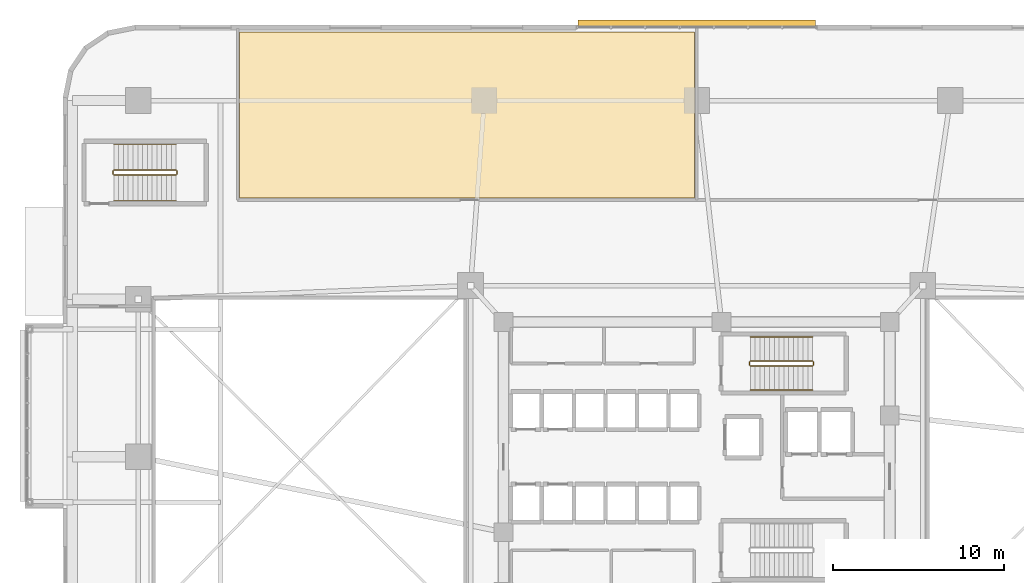
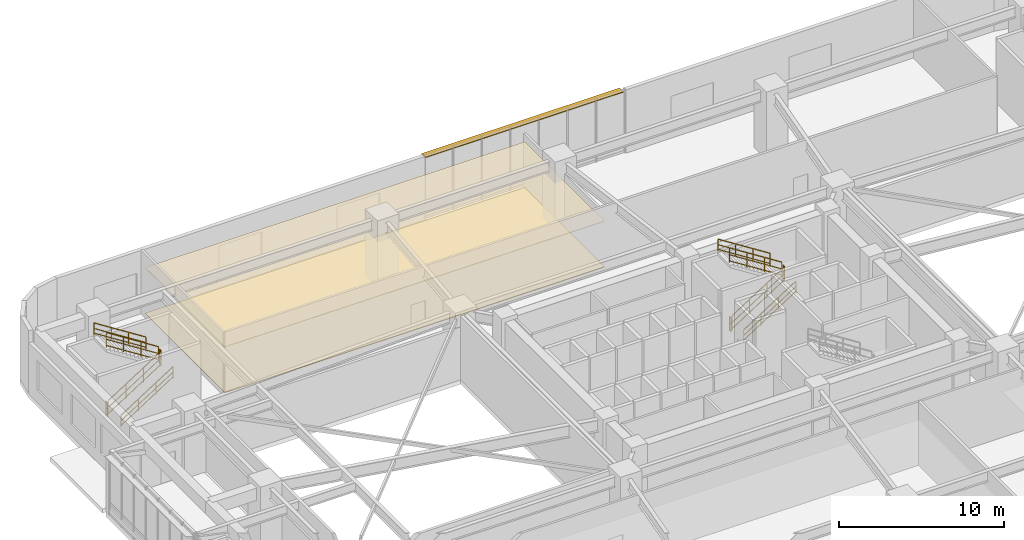
# One storey, part 25 of 26: 12 railings, 2 coverings, 1 shading device.
"""IFC4 building model written with IfcOpenShell, lengths in metres."""

from ifc_helpers import new_model, si_unit, direction, frame, origin, origin_2d, place, context, subcontext, project, spatial, polyline, rectangle, outline, extrude, material, layer, layer_set, type_object, element, save


model = new_model("IFC4")

# Units and contexts
model_context = context("Model", 3, precision=1e-05, world=origin(), true_north=direction((0.0, 1.0)))
body_context = subcontext(model_context, "Body", "Model", "MODEL_VIEW")
ifc_project = project(units=[si_unit("LENGTHUNIT", "METRE"), si_unit("AREAUNIT", "SQUARE_METRE"), si_unit("VOLUMEUNIT", "CUBIC_METRE"), si_unit("PLANEANGLEUNIT", "RADIAN"), si_unit("MASSUNIT", "GRAM", prefix="KILO")], contexts=[model_context])

# Site, building, storey
site_placement = place(None, origin())
site = spatial("IfcSite", under=ifc_project, at=site_placement, CompositionType="ELEMENT")
building_placement = place(site_placement, origin())
building = spatial("IfcBuilding", under=site, at=building_placement, Name="Zulverin Broadcast Headquarters", CompositionType="ELEMENT")
storey_placement = place(building_placement, frame((0.0, 0.0, 15.0)))
storey = spatial("IfcBuildingStorey", under=building, at=storey_placement, Name="L03", CompositionType="ELEMENT", Elevation=15.0)

# Coverings
ifc_material_1 = material(Name="Perforated pale-metal acoustic baffle ceiling", Category="aluminium")
ifc_layer_1 = layer(ifc_material_1, 0.0400390625, Name="Perforated pale-metal acoustic baffle ceiling", Category="aluminium")
ifc_layer_set_1 = layer_set([ifc_layer_1], Name="Perforated pale-metal acoustic baffle ceiling")
covering_type_1 = type_object("IfcCoveringType", Name="COV-CEIL-ACOU", PredefinedType="CEILING", material=ifc_layer_set_1)
covering_1_placement = place(storey_placement, frame((0.0, 0.0, 3.389892578125)))
element("IfcCovering", 1, at=covering_1_placement, inside=storey, type_object=covering_type_1, Name="L03 Acoustic Baffle Ceiling 03", PredefinedType="CEILING", context=body_context, shape_type="SweptSolid", body=[
    extrude(outline(polyline([(36.8798828125, 50.0), (10.320068359375, 50.0), (10.320068359375, 40.320068359375), (36.8798828125, 40.320068359375), (36.8798828125, 50.0)])), origin(), (0.0, 0.0, 1.0), 0.0400390625),
])
ifc_material_2 = material(Name="Anti-static broadcast raised access flooring", Category="stone")
ifc_layer_2 = layer(ifc_material_2, 0.050048828125, Name="Anti-static broadcast raised access flooring", Category="stone")
ifc_layer_set_2 = layer_set([ifc_layer_2], Name="Anti-static broadcast raised access flooring")
covering_type_2 = type_object("IfcCoveringType", Name="COV-FLR-RAISED", PredefinedType="FLOORING", material=ifc_layer_set_2)
covering_2_placement = place(storey_placement, origin())
element("IfcCovering", 2, at=covering_2_placement, inside=storey, type_object=covering_type_2, Name="L03 Broadcast Raised Access Flooring 01", PredefinedType="FLOORING", context=body_context, shape_type="SweptSolid", body=[
    extrude(outline(polyline([(36.8798828125, 50.0), (10.320068359375, 50.0), (10.320068359375, 40.320068359375), (36.8798828125, 40.320068359375), (36.8798828125, 50.0)])), origin(), (0.0, 0.0, 1.0), 0.050048828125),
])

# Railings
ifc_material_3 = material(Name="Painted galvanized steel tubular guardrail S355JR", Category="steel")
railing_type_1 = type_object("IfcRailingType", Name="RL-ST-GUARD", PredefinedType="GUARDRAIL", material=ifc_material_3)
railing_1_placement = place(storey_placement, frame((40.1298828125, 30.5, 0.178466796875)))
element("IfcRailing", 3, at=railing_1_placement, inside=storey, type_object=railing_type_1, Name="L03 ST-1 stair guard 1", PredefinedType="GUARDRAIL", context=body_context, shape_type="SweptSolid", body=[
    extrude(rectangle(XDim=0.048095703125, YDim=0.048095703125, at=origin_2d()), frame((0.0, 0.0, 1.076171875), z_axis=(0.843127859045, 0.0, 0.537713132908), x_axis=(0.0, 1.0, 0.0)), (0.0, 0.0, 1.0), 4.3173828125),
    extrude(rectangle(XDim=0.0419921875, YDim=0.0419921875, at=origin_2d()), frame((0.0, 0.0, 0.572021484375), z_axis=(0.843127859045, 0.0, 0.537713132908), x_axis=(0.0, 1.0, 0.0)), (0.0, 0.0, 1.0), 4.3173828125),
    extrude(rectangle(XDim=0.0419921875, YDim=0.0419921875, at=origin_2d()), frame((0.0, 0.0, 0.1201171875), z_axis=(0.843127859045, 0.0, 0.537713132908), x_axis=(0.0, 1.0, 0.0)), (0.0, 0.0, 1.0), 4.3173828125),
    extrude(rectangle(XDim=0.0419921875, YDim=0.0419921875, at=origin_2d()), origin(), (0.0, 0.0, 1.0), 1.052001953125),
    extrude(rectangle(XDim=0.0419921875, YDim=0.0419921875, at=origin_2d()), frame((1.21337890625, 0.0, 0.77392578125)), (0.0, 0.0, 1.0), 1.052001953125),
    extrude(rectangle(XDim=0.0419921875, YDim=0.0419921875, at=origin_2d()), frame((2.4267578125, 0.0, 1.547607421875)), (0.0, 0.0, 1.0), 1.052001953125),
    extrude(rectangle(XDim=0.0419921875, YDim=0.0419921875, at=origin_2d()), frame((3.64013671875, 0.0, 2.321533203125)), (0.0, 0.0, 1.0), 1.052001953125),
])
railing_2_placement = place(storey_placement, frame((43.820068359375, 30.550048828125, 2.5)))
element("IfcRailing", 4, at=railing_2_placement, inside=storey, type_object=railing_type_1, Name="L03 ST-1 stair guard 2", PredefinedType="GUARDRAIL", context=body_context, shape_type="SweptSolid", body=[
    extrude(rectangle(XDim=0.048095703125, YDim=0.048095703125, at=origin_2d()), frame((0.0, 0.0, 1.076171875), z_axis=(0.0, 1.0, 0.0), x_axis=(-1.0, 0.0, 0.0)), (0.0, 0.0, 1.0), 0.199951171875),
    extrude(rectangle(XDim=0.0419921875, YDim=0.0419921875, at=origin_2d()), frame((0.0, 0.0, 0.572021484375), z_axis=(0.0, 1.0, 0.0), x_axis=(-1.0, 0.0, 0.0)), (0.0, 0.0, 1.0), 0.199951171875),
    extrude(rectangle(XDim=0.0419921875, YDim=0.0419921875, at=origin_2d()), frame((0.0, 0.0, 0.1201171875), z_axis=(0.0, 1.0, 0.0), x_axis=(-1.0, 0.0, 0.0)), (0.0, 0.0, 1.0), 0.199951171875),
    extrude(rectangle(XDim=0.0419921875, YDim=0.0419921875, at=origin_2d()), origin(), (0.0, 0.0, 1.0), 1.052001953125),
    extrude(rectangle(XDim=0.0419921875, YDim=0.0419921875, at=origin_2d()), frame((0.0, 0.199951171875, 0.0)), (0.0, 0.0, 1.0), 1.052001953125),
])
railing_3_placement = place(storey_placement, frame((43.77001953125, 30.800048828125, 2.678466796875)))
element("IfcRailing", 5, at=railing_3_placement, inside=storey, type_object=railing_type_1, Name="L03 ST-1 stair guard 3", PredefinedType="GUARDRAIL", context=body_context, shape_type="SweptSolid", body=[
    extrude(rectangle(XDim=0.048095703125, YDim=0.048095703125, at=origin_2d()), frame((0.0, 0.0, 1.076171875), z_axis=(-0.843127859045, 0.0, 0.537713132908), x_axis=(0.0, -1.0, 0.0)), (0.0, 0.0, 1.0), 4.3173828125),
    extrude(rectangle(XDim=0.0419921875, YDim=0.0419921875, at=origin_2d()), frame((0.0, 0.0, 0.572021484375), z_axis=(-0.843127859045, 0.0, 0.537713132908), x_axis=(0.0, -1.0, 0.0)), (0.0, 0.0, 1.0), 4.3173828125),
    extrude(rectangle(XDim=0.0419921875, YDim=0.0419921875, at=origin_2d()), frame((0.0, 0.0, 0.1201171875), z_axis=(-0.843127859045, 0.0, 0.537713132908), x_axis=(0.0, -1.0, 0.0)), (0.0, 0.0, 1.0), 4.3173828125),
    extrude(rectangle(XDim=0.0419921875, YDim=0.0419921875, at=origin_2d()), origin(), (0.0, 0.0, 1.0), 1.052001953125),
    extrude(rectangle(XDim=0.0419921875, YDim=0.0419921875, at=origin_2d()), frame((-1.21337890625, 0.0, 0.77392578125)), (0.0, 0.0, 1.0), 1.052001953125),
    extrude(rectangle(XDim=0.0419921875, YDim=0.0419921875, at=origin_2d()), frame((-2.4267578125, 0.0, 1.547607421875)), (0.0, 0.0, 1.0), 1.052001953125),
    extrude(rectangle(XDim=0.0419921875, YDim=0.0419921875, at=origin_2d()), frame((-3.64013671875, 0.0, 2.321533203125)), (0.0, 0.0, 1.0), 1.052001953125),
])
railing_4_placement = place(storey_placement, frame((40.080078125, 30.550048828125, 0.0)))
element("IfcRailing", 6, at=railing_4_placement, inside=storey, type_object=railing_type_1, Name="L03 ST-1 stair guard 4", PredefinedType="GUARDRAIL", context=body_context, shape_type="SweptSolid", body=[
    extrude(rectangle(XDim=0.048095703125, YDim=0.048095703125, at=origin_2d()), frame((0.0, 0.0, 1.076171875), z_axis=(0.0, 1.0, 0.0), x_axis=(-1.0, 0.0, 0.0)), (0.0, 0.0, 1.0), 0.199951171875),
    extrude(rectangle(XDim=0.0419921875, YDim=0.0419921875, at=origin_2d()), frame((0.0, 0.0, 0.572021484375), z_axis=(0.0, 1.0, 0.0), x_axis=(-1.0, 0.0, 0.0)), (0.0, 0.0, 1.0), 0.199951171875),
    extrude(rectangle(XDim=0.0419921875, YDim=0.0419921875, at=origin_2d()), frame((0.0, 0.0, 0.1201171875), z_axis=(0.0, 1.0, 0.0), x_axis=(-1.0, 0.0, 0.0)), (0.0, 0.0, 1.0), 0.199951171875),
    extrude(rectangle(XDim=0.0419921875, YDim=0.0419921875, at=origin_2d()), origin(), (0.0, 0.0, 1.0), 1.052001953125),
    extrude(rectangle(XDim=0.0419921875, YDim=0.0419921875, at=origin_2d()), frame((0.0, 0.199951171875, 0.0)), (0.0, 0.0, 1.0), 1.052001953125),
])
railing_5_placement = place(storey_placement, frame((2.969970703125, 41.64990234375, 0.178466796875)))
element("IfcRailing", 7, at=railing_5_placement, inside=storey, type_object=railing_type_1, Name="L03 ST-3 stair guard 1", PredefinedType="GUARDRAIL", context=body_context, shape_type="SweptSolid", body=[
    extrude(rectangle(XDim=0.048095703125, YDim=0.048095703125, at=origin_2d()), frame((0.0, 0.0, 1.076171875), z_axis=(0.843127859045, 0.0, 0.537713132908), x_axis=(0.0, 1.0, 0.0)), (0.0, 0.0, 1.0), 4.3173828125),
    extrude(rectangle(XDim=0.0419921875, YDim=0.0419921875, at=origin_2d()), frame((0.0, 0.0, 0.572021484375), z_axis=(0.843127859045, 0.0, 0.537713132908), x_axis=(0.0, 1.0, 0.0)), (0.0, 0.0, 1.0), 4.3173828125),
    extrude(rectangle(XDim=0.0419921875, YDim=0.0419921875, at=origin_2d()), frame((0.0, 0.0, 0.1201171875), z_axis=(0.843127859045, 0.0, 0.537713132908), x_axis=(0.0, 1.0, 0.0)), (0.0, 0.0, 1.0), 4.3173828125),
    extrude(rectangle(XDim=0.0419921875, YDim=0.0419921875, at=origin_2d()), origin(), (0.0, 0.0, 1.0), 1.052001953125),
    extrude(rectangle(XDim=0.0419921875, YDim=0.0419921875, at=origin_2d()), frame((1.21337890625, 0.0, 0.77392578125)), (0.0, 0.0, 1.0), 1.052001953125),
    extrude(rectangle(XDim=0.0419921875, YDim=0.0419921875, at=origin_2d()), frame((2.4267578125, 0.0, 1.547607421875)), (0.0, 0.0, 1.0), 1.052001953125),
    extrude(rectangle(XDim=0.0419921875, YDim=0.0419921875, at=origin_2d()), frame((3.64013671875, 0.0, 2.321533203125)), (0.0, 0.0, 1.0), 1.052001953125),
])
railing_6_placement = place(storey_placement, frame((6.659912109375, 41.699951171875, 2.5)))
element("IfcRailing", 8, at=railing_6_placement, inside=storey, type_object=railing_type_1, Name="L03 ST-3 stair guard 2", PredefinedType="GUARDRAIL", context=body_context, shape_type="SweptSolid", body=[
    extrude(rectangle(XDim=0.048095703125, YDim=0.048095703125, at=origin_2d()), frame((0.0, 0.0, 1.076171875), z_axis=(0.0, 1.0, 0.0), x_axis=(-1.0, 0.0, 0.0)), (0.0, 0.0, 1.0), 0.199951171875),
    extrude(rectangle(XDim=0.0419921875, YDim=0.0419921875, at=origin_2d()), frame((0.0, 0.0, 0.572021484375), z_axis=(0.0, 1.0, 0.0), x_axis=(-1.0, 0.0, 0.0)), (0.0, 0.0, 1.0), 0.199951171875),
    extrude(rectangle(XDim=0.0419921875, YDim=0.0419921875, at=origin_2d()), frame((0.0, 0.0, 0.1201171875), z_axis=(0.0, 1.0, 0.0), x_axis=(-1.0, 0.0, 0.0)), (0.0, 0.0, 1.0), 0.199951171875),
    extrude(rectangle(XDim=0.0419921875, YDim=0.0419921875, at=origin_2d()), origin(), (0.0, 0.0, 1.0), 1.052001953125),
    extrude(rectangle(XDim=0.0419921875, YDim=0.0419921875, at=origin_2d()), frame((0.0, 0.199951171875, 0.0)), (0.0, 0.0, 1.0), 1.052001953125),
])
railing_7_placement = place(storey_placement, frame((6.610107421875, 41.949951171875, 2.678466796875)))
element("IfcRailing", 9, at=railing_7_placement, inside=storey, type_object=railing_type_1, Name="L03 ST-3 stair guard 3", PredefinedType="GUARDRAIL", context=body_context, shape_type="SweptSolid", body=[
    extrude(rectangle(XDim=0.048095703125, YDim=0.048095703125, at=origin_2d()), frame((0.0, 0.0, 1.076171875), z_axis=(-0.843127859045, 0.0, 0.537713132908), x_axis=(0.0, -1.0, 0.0)), (0.0, 0.0, 1.0), 4.3173828125),
    extrude(rectangle(XDim=0.0419921875, YDim=0.0419921875, at=origin_2d()), frame((0.0, 0.0, 0.572021484375), z_axis=(-0.843127859045, 0.0, 0.537713132908), x_axis=(0.0, -1.0, 0.0)), (0.0, 0.0, 1.0), 4.3173828125),
    extrude(rectangle(XDim=0.0419921875, YDim=0.0419921875, at=origin_2d()), frame((0.0, 0.0, 0.1201171875), z_axis=(-0.843127859045, 0.0, 0.537713132908), x_axis=(0.0, -1.0, 0.0)), (0.0, 0.0, 1.0), 4.3173828125),
    extrude(rectangle(XDim=0.0419921875, YDim=0.0419921875, at=origin_2d()), origin(), (0.0, 0.0, 1.0), 1.052001953125),
    extrude(rectangle(XDim=0.0419921875, YDim=0.0419921875, at=origin_2d()), frame((-1.21337890625, 0.0, 0.77392578125)), (0.0, 0.0, 1.0), 1.052001953125),
    extrude(rectangle(XDim=0.0419921875, YDim=0.0419921875, at=origin_2d()), frame((-2.4267578125, 0.0, 1.547607421875)), (0.0, 0.0, 1.0), 1.052001953125),
    extrude(rectangle(XDim=0.0419921875, YDim=0.0419921875, at=origin_2d()), frame((-3.64013671875, 0.0, 2.321533203125)), (0.0, 0.0, 1.0), 1.052001953125),
])
railing_8_placement = place(storey_placement, frame((2.919921875, 41.699951171875, 0.0)))
element("IfcRailing", 10, at=railing_8_placement, inside=storey, type_object=railing_type_1, Name="L03 ST-3 stair guard 4", PredefinedType="GUARDRAIL", context=body_context, shape_type="SweptSolid", body=[
    extrude(rectangle(XDim=0.048095703125, YDim=0.048095703125, at=origin_2d()), frame((0.0, 0.0, 1.076171875), z_axis=(0.0, 1.0, 0.0), x_axis=(-1.0, 0.0, 0.0)), (0.0, 0.0, 1.0), 0.199951171875),
    extrude(rectangle(XDim=0.0419921875, YDim=0.0419921875, at=origin_2d()), frame((0.0, 0.0, 0.572021484375), z_axis=(0.0, 1.0, 0.0), x_axis=(-1.0, 0.0, 0.0)), (0.0, 0.0, 1.0), 0.199951171875),
    extrude(rectangle(XDim=0.0419921875, YDim=0.0419921875, at=origin_2d()), frame((0.0, 0.0, 0.1201171875), z_axis=(0.0, 1.0, 0.0), x_axis=(-1.0, 0.0, 0.0)), (0.0, 0.0, 1.0), 0.199951171875),
    extrude(rectangle(XDim=0.0419921875, YDim=0.0419921875, at=origin_2d()), origin(), (0.0, 0.0, 1.0), 1.052001953125),
    extrude(rectangle(XDim=0.0419921875, YDim=0.0419921875, at=origin_2d()), frame((0.0, 0.199951171875, 0.0)), (0.0, 0.0, 1.0), 1.052001953125),
])
ifc_material_4 = material(Name="Brushed stainless steel 48 mm handrail", Category="steel")
railing_type_2 = type_object("IfcRailingType", Name="RL-ST-HAND", PredefinedType="HANDRAIL", material=ifc_material_4)
railing_9_placement = place(storey_placement, frame((40.1298828125, 29.10009765625, 0.178466796875)))
element("IfcRailing", 11, at=railing_9_placement, inside=storey, type_object=railing_type_2, Name="L03 ST-1 stair handrail 1", PredefinedType="HANDRAIL", context=body_context, shape_type="SweptSolid", body=[
    extrude(rectangle(XDim=0.048095703125, YDim=0.048095703125, at=origin_2d()), frame((0.0, 0.0, 0.8759765625), z_axis=(0.843127859045, 0.0, 0.537713132908), x_axis=(0.0, 1.0, 0.0)), (0.0, 0.0, 1.0), 4.3173828125),
    extrude(rectangle(XDim=0.0419921875, YDim=0.0419921875, at=origin_2d()), frame((0.0, 0.0, 0.468017578125), z_axis=(0.843127859045, 0.0, 0.537713132908), x_axis=(0.0, 1.0, 0.0)), (0.0, 0.0, 1.0), 4.3173828125),
    extrude(rectangle(XDim=0.0419921875, YDim=0.0419921875, at=origin_2d()), frame((0.0, 0.0, 0.1201171875), z_axis=(0.843127859045, 0.0, 0.537713132908), x_axis=(0.0, 1.0, 0.0)), (0.0, 0.0, 1.0), 4.3173828125),
    extrude(rectangle(XDim=0.0419921875, YDim=0.0419921875, at=origin_2d()), origin(), (0.0, 0.0, 1.0), 0.851806640625),
    extrude(rectangle(XDim=0.0419921875, YDim=0.0419921875, at=origin_2d()), frame((1.21337890625, 0.0, 0.77392578125)), (0.0, 0.0, 1.0), 0.851806640625),
    extrude(rectangle(XDim=0.0419921875, YDim=0.0419921875, at=origin_2d()), frame((2.4267578125, 0.0, 1.547607421875)), (0.0, 0.0, 1.0), 0.851806640625),
    extrude(rectangle(XDim=0.0419921875, YDim=0.0419921875, at=origin_2d()), frame((3.64013671875, 0.0, 2.321533203125)), (0.0, 0.0, 1.0), 0.851806640625),
])
railing_10_placement = place(storey_placement, frame((43.77001953125, 32.199951171875, 2.678466796875)))
element("IfcRailing", 12, at=railing_10_placement, inside=storey, type_object=railing_type_2, Name="L03 ST-1 stair handrail 2", PredefinedType="HANDRAIL", context=body_context, shape_type="SweptSolid", body=[
    extrude(rectangle(XDim=0.048095703125, YDim=0.048095703125, at=origin_2d()), frame((0.0, 0.0, 0.8759765625), z_axis=(-0.843127859045, 0.0, 0.537713132908), x_axis=(0.0, -1.0, 0.0)), (0.0, 0.0, 1.0), 4.3173828125),
    extrude(rectangle(XDim=0.0419921875, YDim=0.0419921875, at=origin_2d()), frame((0.0, 0.0, 0.468017578125), z_axis=(-0.843127859045, 0.0, 0.537713132908), x_axis=(0.0, -1.0, 0.0)), (0.0, 0.0, 1.0), 4.3173828125),
    extrude(rectangle(XDim=0.0419921875, YDim=0.0419921875, at=origin_2d()), frame((0.0, 0.0, 0.1201171875), z_axis=(-0.843127859045, 0.0, 0.537713132908), x_axis=(0.0, -1.0, 0.0)), (0.0, 0.0, 1.0), 4.3173828125),
    extrude(rectangle(XDim=0.0419921875, YDim=0.0419921875, at=origin_2d()), origin(), (0.0, 0.0, 1.0), 0.851806640625),
    extrude(rectangle(XDim=0.0419921875, YDim=0.0419921875, at=origin_2d()), frame((-1.21337890625, 0.0, 0.77392578125)), (0.0, 0.0, 1.0), 0.851806640625),
    extrude(rectangle(XDim=0.0419921875, YDim=0.0419921875, at=origin_2d()), frame((-2.4267578125, 0.0, 1.547607421875)), (0.0, 0.0, 1.0), 0.851806640625),
    extrude(rectangle(XDim=0.0419921875, YDim=0.0419921875, at=origin_2d()), frame((-3.64013671875, 0.0, 2.321533203125)), (0.0, 0.0, 1.0), 0.851806640625),
])
railing_11_placement = place(storey_placement, frame((2.969970703125, 40.14990234375, 0.178466796875)))
element("IfcRailing", 13, at=railing_11_placement, inside=storey, type_object=railing_type_2, Name="L03 ST-3 stair handrail 1", PredefinedType="HANDRAIL", context=body_context, shape_type="SweptSolid", body=[
    extrude(rectangle(XDim=0.048095703125, YDim=0.048095703125, at=origin_2d()), frame((0.0, 0.0, 0.8759765625), z_axis=(0.843127859045, 0.0, 0.537713132908), x_axis=(0.0, 1.0, 0.0)), (0.0, 0.0, 1.0), 4.3173828125),
    extrude(rectangle(XDim=0.0419921875, YDim=0.0419921875, at=origin_2d()), frame((0.0, 0.0, 0.468017578125), z_axis=(0.843127859045, 0.0, 0.537713132908), x_axis=(0.0, 1.0, 0.0)), (0.0, 0.0, 1.0), 4.3173828125),
    extrude(rectangle(XDim=0.0419921875, YDim=0.0419921875, at=origin_2d()), frame((0.0, 0.0, 0.1201171875), z_axis=(0.843127859045, 0.0, 0.537713132908), x_axis=(0.0, 1.0, 0.0)), (0.0, 0.0, 1.0), 4.3173828125),
    extrude(rectangle(XDim=0.0419921875, YDim=0.0419921875, at=origin_2d()), origin(), (0.0, 0.0, 1.0), 0.851806640625),
    extrude(rectangle(XDim=0.0419921875, YDim=0.0419921875, at=origin_2d()), frame((1.21337890625, 0.0, 0.77392578125)), (0.0, 0.0, 1.0), 0.851806640625),
    extrude(rectangle(XDim=0.0419921875, YDim=0.0419921875, at=origin_2d()), frame((2.4267578125, 0.0, 1.547607421875)), (0.0, 0.0, 1.0), 0.851806640625),
    extrude(rectangle(XDim=0.0419921875, YDim=0.0419921875, at=origin_2d()), frame((3.64013671875, 0.0, 2.321533203125)), (0.0, 0.0, 1.0), 0.851806640625),
])
railing_12_placement = place(storey_placement, frame((6.610107421875, 43.449951171875, 2.678466796875)))
element("IfcRailing", 14, at=railing_12_placement, inside=storey, type_object=railing_type_2, Name="L03 ST-3 stair handrail 2", PredefinedType="HANDRAIL", context=body_context, shape_type="SweptSolid", body=[
    extrude(rectangle(XDim=0.048095703125, YDim=0.048095703125, at=origin_2d()), frame((0.0, 0.0, 0.8759765625), z_axis=(-0.843127859045, 0.0, 0.537713132908), x_axis=(0.0, -1.0, 0.0)), (0.0, 0.0, 1.0), 4.3173828125),
    extrude(rectangle(XDim=0.0419921875, YDim=0.0419921875, at=origin_2d()), frame((0.0, 0.0, 0.468017578125), z_axis=(-0.843127859045, 0.0, 0.537713132908), x_axis=(0.0, -1.0, 0.0)), (0.0, 0.0, 1.0), 4.3173828125),
    extrude(rectangle(XDim=0.0419921875, YDim=0.0419921875, at=origin_2d()), frame((0.0, 0.0, 0.1201171875), z_axis=(-0.843127859045, 0.0, 0.537713132908), x_axis=(0.0, -1.0, 0.0)), (0.0, 0.0, 1.0), 4.3173828125),
    extrude(rectangle(XDim=0.0419921875, YDim=0.0419921875, at=origin_2d()), origin(), (0.0, 0.0, 1.0), 0.851806640625),
    extrude(rectangle(XDim=0.0419921875, YDim=0.0419921875, at=origin_2d()), frame((-1.21337890625, 0.0, 0.77392578125)), (0.0, 0.0, 1.0), 0.851806640625),
    extrude(rectangle(XDim=0.0419921875, YDim=0.0419921875, at=origin_2d()), frame((-2.4267578125, 0.0, 1.547607421875)), (0.0, 0.0, 1.0), 0.851806640625),
    extrude(rectangle(XDim=0.0419921875, YDim=0.0419921875, at=origin_2d()), frame((-3.64013671875, 0.0, 2.321533203125)), (0.0, 0.0, 1.0), 0.851806640625),
])

# Shading device
ifc_material_5 = material(Name="Anodized pale-metal aluminium sunshade", Category="aluminium")
ifc_layer_3 = layer(ifc_material_5, 0.06005859375, Name="Anodized pale-metal aluminium sunshade", Category="aluminium")
ifc_layer_set_3 = layer_set([ifc_layer_3], Name="Anodized pale-metal aluminium sunshade")
shading_device_type = type_object("IfcShadingDeviceType", Name="SS-01_PALE_METAL_ALUMINIUM_SUNSHADE", PredefinedType="USERDEFINED", material=ifc_layer_set_3)
shading_device_placement = place(storey_placement, frame((37.0, 50.47998046875, 4.449951171875), z_axis=(0.0, 0.0, 1.0), x_axis=(-1.0, 0.0, 0.0)))
element("IfcShadingDevice", 15, at=shading_device_placement, inside=storey, type_object=shading_device_type, Name="L03 Pale-Metal Horizontal Sunshade Band CW-L03-N2", ObjectType="SUNSHADE", PredefinedType="USERDEFINED", context=body_context, shape_type="SweptSolid", body=[
    extrude(rectangle(XDim=13.860107421875, YDim=0.449951171875, at=origin_2d()), origin(), (0.0, 0.0, 1.0), 0.06005859375),
])

save(model, "model.ifc")
